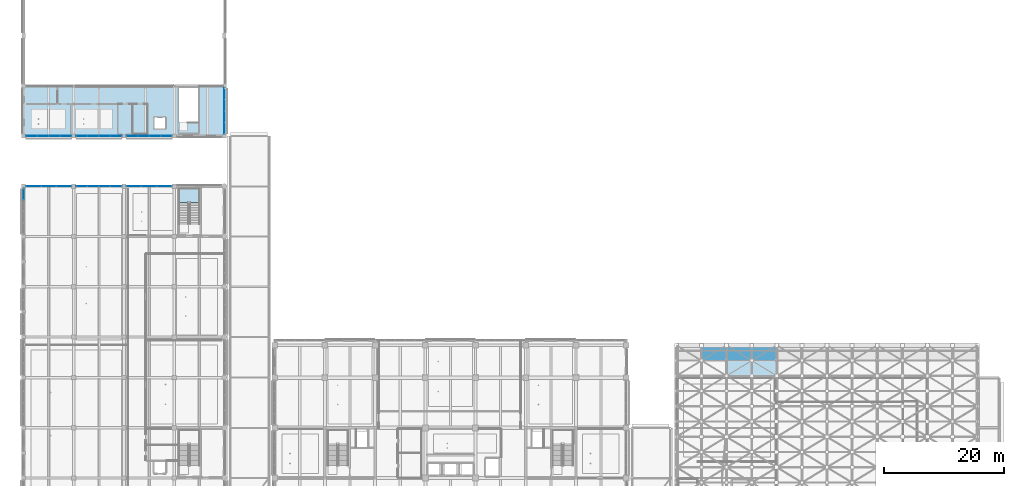
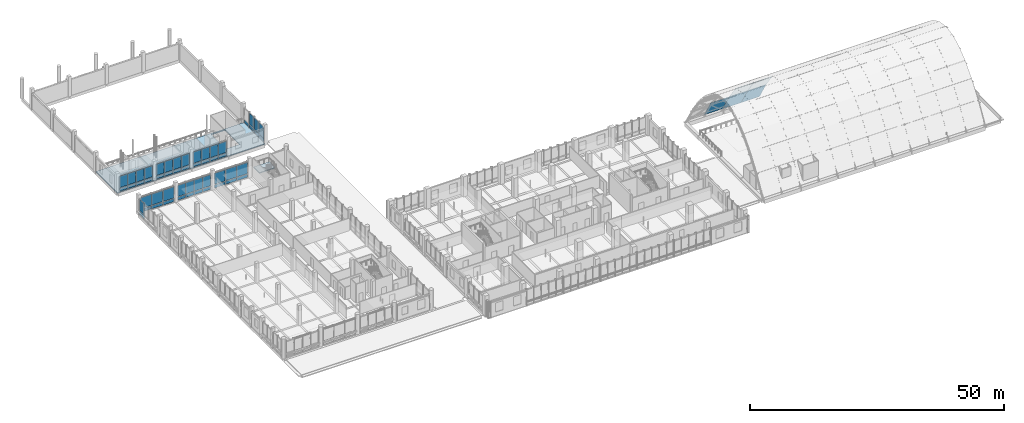
# One storey, part 42 of 128: 58 plates, 2 slabs, 9 elements without a shape of their own.
"""IFC4 building model written with IfcOpenShell, lengths in metres."""

from ifc_helpers import new_model, si_unit, direction, frame, origin, origin_2d, place, context, subcontext, project, spatial, polyline, rectangle, outline, extrude, material, layer, layer_set, type_object, element, aggregate, save


model = new_model("IFC4")

# Units and contexts
model_context = context("Model", 3, precision=1e-05, world=origin(), true_north=direction((0.0, 1.0)))
body_context = subcontext(model_context, "Body", "Model", "MODEL_VIEW")
ifc_project = project(units=[si_unit("LENGTHUNIT", "METRE"), si_unit("AREAUNIT", "SQUARE_METRE"), si_unit("VOLUMEUNIT", "CUBIC_METRE"), si_unit("PLANEANGLEUNIT", "RADIAN"), si_unit("MASSUNIT", "GRAM", prefix="KILO")], contexts=[model_context])

# Site, building, storey
site_placement = place(None, origin())
site = spatial("IfcSite", under=ifc_project, at=site_placement, CompositionType="ELEMENT")
building_placement = place(site_placement, origin())
building = spatial("IfcBuilding", under=site, at=building_placement, Name="Telukmera Botanical Conservatory", CompositionType="ELEMENT")
storey_placement = place(building_placement, frame((0.0, 0.0, 5.39990234375)))
storey = spatial("IfcBuildingStorey", under=building, at=storey_placement, Name="L01", CompositionType="ELEMENT", Elevation=5.39990234375)

# Curtain wall, plates
ifc_material_1 = material(Name="Anodised aluminium 6063-T6", Category="aluminium")
ifc_layer_1 = layer(ifc_material_1, 0.179931640625)
ifc_layer_set_1 = layer_set([ifc_layer_1], Name="Anodised aluminium 6063-T6")
curtain_wall_type_1 = type_object("IfcCurtainWallType", Name="Auditorium Upper Foyer Acoustic Curtain Wall", PredefinedType="USERDEFINED", material=ifc_layer_set_1)
curtain_wall_1_placement = place(storey_placement, origin())
curtain_wall_1 = element("IfcCurtainWall", 1, at=curtain_wall_1_placement, inside=storey, type_object=curtain_wall_type_1, Name="Unitised Curtain Wall CW05 V2:L01:S1", ObjectType="UNITISED CURTAIN WALL", PredefinedType="USERDEFINED")
ifc_material_2 = material(Name="Spectrally selective low-E double glazing", Category="glass")
ifc_layer_2 = layer(ifc_material_2, 0.044921875)
ifc_layer_set_2 = layer_set([ifc_layer_2], Name="Spectrally selective low-E double glazing")
plate_type_1 = type_object("IfcPlateType", Name="Acoustic Triple Laminated Foyer Glazing Panel 45", PredefinedType="CURTAIN_PANEL", material=ifc_layer_set_2)
plate_1_placement = place(storey_placement, frame((9.730224609375, 83.199951171875, 0.130126953125), z_axis=(0.0, 0.0, 1.0), x_axis=(1.0, 0.0, 0.0)))
plate_1 = element("IfcPlate", 2, at=plate_1_placement, type_object=plate_type_1, Name="CW05 panel 1.1", PredefinedType="CURTAIN_PANEL", context=body_context, shape_type="SweptSolid", body=[
    extrude(rectangle(XDim=1.826416015625, YDim=0.044921875, at=origin_2d()), origin(), (0.0, 0.0, 1.0), 0.7548828125),
])
plate_2_placement = place(storey_placement, frame((9.730224609375, 83.199951171875, 1.01513671875), z_axis=(0.0, 0.0, 1.0), x_axis=(1.0, 0.0, 0.0)))
plate_2 = element("IfcPlate", 3, at=plate_2_placement, type_object=plate_type_1, Name="CW05 panel 1.2", PredefinedType="CURTAIN_PANEL", context=body_context, shape_type="SweptSolid", body=[
    extrude(rectangle(XDim=1.826416015625, YDim=0.044921875, at=origin_2d()), origin(), (0.0, 0.0, 1.0), 2.705078125),
])
plate_3_placement = place(storey_placement, frame((11.637939453125, 83.199951171875, 0.130126953125), z_axis=(0.0, 0.0, 1.0), x_axis=(1.0, 0.0, 0.0)))
plate_3 = element("IfcPlate", 4, at=plate_3_placement, type_object=plate_type_1, Name="CW05 panel 2.1", PredefinedType="CURTAIN_PANEL", context=body_context, shape_type="SweptSolid", body=[
    extrude(rectangle(XDim=1.85888671875, YDim=0.044921875, at=origin_2d()), origin(), (0.0, 0.0, 1.0), 0.7548828125),
])
plate_4_placement = place(storey_placement, frame((11.637939453125, 83.199951171875, 1.01513671875), z_axis=(0.0, 0.0, 1.0), x_axis=(1.0, 0.0, 0.0)))
plate_4 = element("IfcPlate", 5, at=plate_4_placement, type_object=plate_type_1, Name="CW05 panel 2.2", PredefinedType="CURTAIN_PANEL", context=body_context, shape_type="SweptSolid", body=[
    extrude(rectangle(XDim=1.85888671875, YDim=0.044921875, at=origin_2d()), origin(), (0.0, 0.0, 1.0), 2.705078125),
])
plate_5_placement = place(storey_placement, frame((13.56201171875, 83.199951171875, 0.130126953125), z_axis=(0.0, 0.0, 1.0), x_axis=(1.0, 0.0, 0.0)))
plate_5 = element("IfcPlate", 6, at=plate_5_placement, type_object=plate_type_1, Name="CW05 panel 3.1", PredefinedType="CURTAIN_PANEL", context=body_context, shape_type="SweptSolid", body=[
    extrude(rectangle(XDim=1.85888671875, YDim=0.044921875, at=origin_2d()), origin(), (0.0, 0.0, 1.0), 0.7548828125),
])
plate_6_placement = place(storey_placement, frame((13.56201171875, 83.199951171875, 1.01513671875), z_axis=(0.0, 0.0, 1.0), x_axis=(1.0, 0.0, 0.0)))
plate_6 = element("IfcPlate", 7, at=plate_6_placement, type_object=plate_type_1, Name="CW05 panel 3.2", PredefinedType="CURTAIN_PANEL", context=body_context, shape_type="SweptSolid", body=[
    extrude(rectangle(XDim=1.85888671875, YDim=0.044921875, at=origin_2d()), origin(), (0.0, 0.0, 1.0), 2.705078125),
])
plate_7_placement = place(storey_placement, frame((15.4697265625, 83.199951171875, 0.130126953125), z_axis=(0.0, 0.0, 1.0), x_axis=(1.0, 0.0, 0.0)))
plate_7 = element("IfcPlate", 8, at=plate_7_placement, type_object=plate_type_1, Name="CW05 panel 4.1", PredefinedType="CURTAIN_PANEL", context=body_context, shape_type="SweptSolid", body=[
    extrude(rectangle(XDim=1.826416015625, YDim=0.044921875, at=origin_2d()), origin(), (0.0, 0.0, 1.0), 0.7548828125),
])
plate_8_placement = place(storey_placement, frame((15.4697265625, 83.199951171875, 1.01513671875), z_axis=(0.0, 0.0, 1.0), x_axis=(1.0, 0.0, 0.0)))
plate_8 = element("IfcPlate", 9, at=plate_8_placement, type_object=plate_type_1, Name="CW05 panel 4.2", PredefinedType="CURTAIN_PANEL", context=body_context, shape_type="SweptSolid", body=[
    extrude(rectangle(XDim=1.826416015625, YDim=0.044921875, at=origin_2d()), origin(), (0.0, 0.0, 1.0), 2.705078125),
])
aggregate(curtain_wall_1, [plate_1, plate_2, plate_3, plate_4, plate_5, plate_6, plate_7, plate_8])

curtain_wall_2_placement = place(storey_placement, origin())
curtain_wall_2 = element("IfcCurtainWall", 10, at=curtain_wall_2_placement, inside=storey, type_object=curtain_wall_type_1, Name="Unitised Curtain Wall CW05 V2:L01:S2", ObjectType="UNITISED CURTAIN WALL", PredefinedType="USERDEFINED")
plate_9_placement = place(storey_placement, frame((18.13037109375, 83.199951171875, 0.130126953125), z_axis=(0.0, 0.0, 1.0), x_axis=(1.0, 0.0, 0.0)))
plate_9 = element("IfcPlate", 11, at=plate_9_placement, type_object=plate_type_1, Name="CW05 panel 1.1", PredefinedType="CURTAIN_PANEL", context=body_context, shape_type="SweptSolid", body=[
    extrude(rectangle(XDim=1.826416015625, YDim=0.044921875, at=origin_2d()), origin(), (0.0, 0.0, 1.0), 0.7548828125),
])
plate_10_placement = place(storey_placement, frame((18.13037109375, 83.199951171875, 1.01513671875), z_axis=(0.0, 0.0, 1.0), x_axis=(1.0, 0.0, 0.0)))
plate_10 = element("IfcPlate", 12, at=plate_10_placement, type_object=plate_type_1, Name="CW05 panel 1.2", PredefinedType="CURTAIN_PANEL", context=body_context, shape_type="SweptSolid", body=[
    extrude(rectangle(XDim=1.826416015625, YDim=0.044921875, at=origin_2d()), origin(), (0.0, 0.0, 1.0), 2.705078125),
])
plate_11_placement = place(storey_placement, frame((20.0380859375, 83.199951171875, 0.130126953125), z_axis=(0.0, 0.0, 1.0), x_axis=(1.0, 0.0, 0.0)))
plate_11 = element("IfcPlate", 13, at=plate_11_placement, type_object=plate_type_1, Name="CW05 panel 2.1", PredefinedType="CURTAIN_PANEL", context=body_context, shape_type="SweptSolid", body=[
    extrude(rectangle(XDim=1.85888671875, YDim=0.044921875, at=origin_2d()), origin(), (0.0, 0.0, 1.0), 0.7548828125),
])
plate_12_placement = place(storey_placement, frame((20.0380859375, 83.199951171875, 1.01513671875), z_axis=(0.0, 0.0, 1.0), x_axis=(1.0, 0.0, 0.0)))
plate_12 = element("IfcPlate", 14, at=plate_12_placement, type_object=plate_type_1, Name="CW05 panel 2.2", PredefinedType="CURTAIN_PANEL", context=body_context, shape_type="SweptSolid", body=[
    extrude(rectangle(XDim=1.85888671875, YDim=0.044921875, at=origin_2d()), origin(), (0.0, 0.0, 1.0), 2.705078125),
])
plate_13_placement = place(storey_placement, frame((21.9619140625, 83.199951171875, 0.130126953125), z_axis=(0.0, 0.0, 1.0), x_axis=(1.0, 0.0, 0.0)))
plate_13 = element("IfcPlate", 15, at=plate_13_placement, type_object=plate_type_1, Name="CW05 panel 3.1", PredefinedType="CURTAIN_PANEL", context=body_context, shape_type="SweptSolid", body=[
    extrude(rectangle(XDim=1.85888671875, YDim=0.044921875, at=origin_2d()), origin(), (0.0, 0.0, 1.0), 0.7548828125),
])
plate_14_placement = place(storey_placement, frame((21.9619140625, 83.199951171875, 1.01513671875), z_axis=(0.0, 0.0, 1.0), x_axis=(1.0, 0.0, 0.0)))
plate_14 = element("IfcPlate", 16, at=plate_14_placement, type_object=plate_type_1, Name="CW05 panel 3.2", PredefinedType="CURTAIN_PANEL", context=body_context, shape_type="SweptSolid", body=[
    extrude(rectangle(XDim=1.85888671875, YDim=0.044921875, at=origin_2d()), origin(), (0.0, 0.0, 1.0), 2.705078125),
])
plate_15_placement = place(storey_placement, frame((23.86962890625, 83.199951171875, 0.130126953125), z_axis=(0.0, 0.0, 1.0), x_axis=(1.0, 0.0, 0.0)))
plate_15 = element("IfcPlate", 17, at=plate_15_placement, type_object=plate_type_1, Name="CW05 panel 4.1", PredefinedType="CURTAIN_PANEL", context=body_context, shape_type="SweptSolid", body=[
    extrude(rectangle(XDim=1.826416015625, YDim=0.044921875, at=origin_2d()), origin(), (0.0, 0.0, 1.0), 0.7548828125),
])
plate_16_placement = place(storey_placement, frame((23.86962890625, 83.199951171875, 1.01513671875), z_axis=(0.0, 0.0, 1.0), x_axis=(1.0, 0.0, 0.0)))
plate_16 = element("IfcPlate", 18, at=plate_16_placement, type_object=plate_type_1, Name="CW05 panel 4.2", PredefinedType="CURTAIN_PANEL", context=body_context, shape_type="SweptSolid", body=[
    extrude(rectangle(XDim=1.826416015625, YDim=0.044921875, at=origin_2d()), origin(), (0.0, 0.0, 1.0), 2.705078125),
])
aggregate(curtain_wall_2, [plate_9, plate_10, plate_11, plate_12, plate_13, plate_14, plate_15, plate_16])

curtain_wall_3_placement = place(storey_placement, origin())
curtain_wall_3 = element("IfcCurtainWall", 19, at=curtain_wall_3_placement, inside=storey, type_object=curtain_wall_type_1, Name="Unitised Curtain Wall CW05 V2:L01:S3", ObjectType="UNITISED CURTAIN WALL", PredefinedType="USERDEFINED")
plate_17_placement = place(storey_placement, frame((26.5302734375, 83.199951171875, 0.130126953125), z_axis=(0.0, 0.0, 1.0), x_axis=(1.0, 0.0, 0.0)))
plate_17 = element("IfcPlate", 20, at=plate_17_placement, type_object=plate_type_1, Name="CW05 panel 1.1", PredefinedType="CURTAIN_PANEL", context=body_context, shape_type="SweptSolid", body=[
    extrude(rectangle(XDim=1.826416015625, YDim=0.044921875, at=origin_2d()), origin(), (0.0, 0.0, 1.0), 0.7548828125),
])
plate_18_placement = place(storey_placement, frame((26.5302734375, 83.199951171875, 1.01513671875), z_axis=(0.0, 0.0, 1.0), x_axis=(1.0, 0.0, 0.0)))
plate_18 = element("IfcPlate", 21, at=plate_18_placement, type_object=plate_type_1, Name="CW05 panel 1.2", PredefinedType="CURTAIN_PANEL", context=body_context, shape_type="SweptSolid", body=[
    extrude(rectangle(XDim=1.826416015625, YDim=0.044921875, at=origin_2d()), origin(), (0.0, 0.0, 1.0), 2.705078125),
])
plate_19_placement = place(storey_placement, frame((28.43798828125, 83.199951171875, 0.130126953125), z_axis=(0.0, 0.0, 1.0), x_axis=(1.0, 0.0, 0.0)))
plate_19 = element("IfcPlate", 22, at=plate_19_placement, type_object=plate_type_1, Name="CW05 panel 2.1", PredefinedType="CURTAIN_PANEL", context=body_context, shape_type="SweptSolid", body=[
    extrude(rectangle(XDim=1.85888671875, YDim=0.044921875, at=origin_2d()), origin(), (0.0, 0.0, 1.0), 0.7548828125),
])
plate_20_placement = place(storey_placement, frame((28.43798828125, 83.199951171875, 1.01513671875), z_axis=(0.0, 0.0, 1.0), x_axis=(1.0, 0.0, 0.0)))
plate_20 = element("IfcPlate", 23, at=plate_20_placement, type_object=plate_type_1, Name="CW05 panel 2.2", PredefinedType="CURTAIN_PANEL", context=body_context, shape_type="SweptSolid", body=[
    extrude(rectangle(XDim=1.85888671875, YDim=0.044921875, at=origin_2d()), origin(), (0.0, 0.0, 1.0), 2.705078125),
])
plate_21_placement = place(storey_placement, frame((30.362060546875, 83.199951171875, 0.130126953125), z_axis=(0.0, 0.0, 1.0), x_axis=(1.0, 0.0, 0.0)))
plate_21 = element("IfcPlate", 24, at=plate_21_placement, type_object=plate_type_1, Name="CW05 panel 3.1", PredefinedType="CURTAIN_PANEL", context=body_context, shape_type="SweptSolid", body=[
    extrude(rectangle(XDim=1.85888671875, YDim=0.044921875, at=origin_2d()), origin(), (0.0, 0.0, 1.0), 0.7548828125),
])
plate_22_placement = place(storey_placement, frame((30.362060546875, 83.199951171875, 1.01513671875), z_axis=(0.0, 0.0, 1.0), x_axis=(1.0, 0.0, 0.0)))
plate_22 = element("IfcPlate", 25, at=plate_22_placement, type_object=plate_type_1, Name="CW05 panel 3.2", PredefinedType="CURTAIN_PANEL", context=body_context, shape_type="SweptSolid", body=[
    extrude(rectangle(XDim=1.85888671875, YDim=0.044921875, at=origin_2d()), origin(), (0.0, 0.0, 1.0), 2.705078125),
])
plate_23_placement = place(storey_placement, frame((32.269775390625, 83.199951171875, 0.130126953125), z_axis=(0.0, 0.0, 1.0), x_axis=(1.0, 0.0, 0.0)))
plate_23 = element("IfcPlate", 26, at=plate_23_placement, type_object=plate_type_1, Name="CW05 panel 4.1", PredefinedType="CURTAIN_PANEL", context=body_context, shape_type="SweptSolid", body=[
    extrude(rectangle(XDim=1.826416015625, YDim=0.044921875, at=origin_2d()), origin(), (0.0, 0.0, 1.0), 0.7548828125),
])
plate_24_placement = place(storey_placement, frame((32.269775390625, 83.199951171875, 1.01513671875), z_axis=(0.0, 0.0, 1.0), x_axis=(1.0, 0.0, 0.0)))
plate_24 = element("IfcPlate", 27, at=plate_24_placement, type_object=plate_type_1, Name="CW05 panel 4.2", PredefinedType="CURTAIN_PANEL", context=body_context, shape_type="SweptSolid", body=[
    extrude(rectangle(XDim=1.826416015625, YDim=0.044921875, at=origin_2d()), origin(), (0.0, 0.0, 1.0), 2.705078125),
])
aggregate(curtain_wall_3, [plate_17, plate_18, plate_19, plate_20, plate_21, plate_22, plate_23, plate_24])

curtain_wall_4_placement = place(storey_placement, origin())
curtain_wall_4 = element("IfcCurtainWall", 28, at=curtain_wall_4_placement, inside=storey, type_object=curtain_wall_type_1, Name="Unitised Curtain Wall CW05 V2:L01:E1", ObjectType="UNITISED CURTAIN WALL", PredefinedType="USERDEFINED")
plate_25_placement = place(storey_placement, frame((42.0, 84.5302734375, 0.130126953125), z_axis=(0.0, 0.0, 1.0), x_axis=(0.0, 1.0, 0.0)))
plate_25 = element("IfcPlate", 29, at=plate_25_placement, type_object=plate_type_1, Name="CW05 panel 1.1", PredefinedType="CURTAIN_PANEL", context=body_context, shape_type="SweptSolid", body=[
    extrude(rectangle(XDim=1.826416015625, YDim=0.044921875, at=origin_2d()), origin(), (0.0, 0.0, 1.0), 0.7548828125),
])
plate_26_placement = place(storey_placement, frame((42.0, 84.5302734375, 1.01513671875), z_axis=(0.0, 0.0, 1.0), x_axis=(0.0, 1.0, 0.0)))
plate_26 = element("IfcPlate", 30, at=plate_26_placement, type_object=plate_type_1, Name="CW05 panel 1.2", PredefinedType="CURTAIN_PANEL", context=body_context, shape_type="SweptSolid", body=[
    extrude(rectangle(XDim=1.826416015625, YDim=0.044921875, at=origin_2d()), origin(), (0.0, 0.0, 1.0), 2.705078125),
])
plate_27_placement = place(storey_placement, frame((42.0, 86.43798828125, 0.130126953125), z_axis=(0.0, 0.0, 1.0), x_axis=(0.0, 1.0, 0.0)))
plate_27 = element("IfcPlate", 31, at=plate_27_placement, type_object=plate_type_1, Name="CW05 panel 2.1", PredefinedType="CURTAIN_PANEL", context=body_context, shape_type="SweptSolid", body=[
    extrude(rectangle(XDim=1.85888671875, YDim=0.044921875, at=origin_2d()), origin(), (0.0, 0.0, 1.0), 0.7548828125),
])
plate_28_placement = place(storey_placement, frame((42.0, 86.43798828125, 1.01513671875), z_axis=(0.0, 0.0, 1.0), x_axis=(0.0, 1.0, 0.0)))
plate_28 = element("IfcPlate", 32, at=plate_28_placement, type_object=plate_type_1, Name="CW05 panel 2.2", PredefinedType="CURTAIN_PANEL", context=body_context, shape_type="SweptSolid", body=[
    extrude(rectangle(XDim=1.85888671875, YDim=0.044921875, at=origin_2d()), origin(), (0.0, 0.0, 1.0), 2.705078125),
])
plate_29_placement = place(storey_placement, frame((42.0, 88.362060546875, 0.130126953125), z_axis=(0.0, 0.0, 1.0), x_axis=(0.0, 1.0, 0.0)))
plate_29 = element("IfcPlate", 33, at=plate_29_placement, type_object=plate_type_1, Name="CW05 panel 3.1", PredefinedType="CURTAIN_PANEL", context=body_context, shape_type="SweptSolid", body=[
    extrude(rectangle(XDim=1.85888671875, YDim=0.044921875, at=origin_2d()), origin(), (0.0, 0.0, 1.0), 0.7548828125),
])
plate_30_placement = place(storey_placement, frame((42.0, 88.362060546875, 1.01513671875), z_axis=(0.0, 0.0, 1.0), x_axis=(0.0, 1.0, 0.0)))
plate_30 = element("IfcPlate", 34, at=plate_30_placement, type_object=plate_type_1, Name="CW05 panel 3.2", PredefinedType="CURTAIN_PANEL", context=body_context, shape_type="SweptSolid", body=[
    extrude(rectangle(XDim=1.85888671875, YDim=0.044921875, at=origin_2d()), origin(), (0.0, 0.0, 1.0), 2.705078125),
])
plate_31_placement = place(storey_placement, frame((42.0, 90.269775390625, 0.130126953125), z_axis=(0.0, 0.0, 1.0), x_axis=(0.0, 1.0, 0.0)))
plate_31 = element("IfcPlate", 35, at=plate_31_placement, type_object=plate_type_1, Name="CW05 panel 4.1", PredefinedType="CURTAIN_PANEL", context=body_context, shape_type="SweptSolid", body=[
    extrude(rectangle(XDim=1.826416015625, YDim=0.044921875, at=origin_2d()), origin(), (0.0, 0.0, 1.0), 0.7548828125),
])
aggregate(curtain_wall_4, [plate_25, plate_26, plate_27, plate_28, plate_29, plate_30, plate_31])

# Plates
ifc_material_3 = material(Name="Low-iron laminated conservatory glass", Category="glass")
ifc_layer_3 = layer(ifc_material_3, 0.031982421875)
ifc_layer_set_3 = layer_set([ifc_layer_3], Name="Low-iron laminated conservatory glass")
plate_type_2 = type_object("IfcPlateType", Name="Conservatory Gridshell Laminated Skylight Facet 32", PredefinedType="USERDEFINED", material=ifc_layer_set_3)
plate_32_placement = place(storey_placement, frame((121.802001953125, 45.652099609375, 4.64892578125), z_axis=(0.0, 0.865208931933, 0.501411511737), x_axis=(1.0, 0.0, 0.0)))
element("IfcPlate", 36, at=plate_32_placement, inside=storey, type_object=plate_type_2, Name="Conservatory Gridshell Glass Facet 02-12", ObjectType="SKYLIGHT_PANEL", PredefinedType="USERDEFINED", context=body_context, shape_type="SweptSolid", body=[
    extrude(outline(polyline([(0.0, 0.0), (4.196044921875, 0.0), (4.196044921875, 5.077463077540518), (0.0, 5.077463077540518), (0.0, 0.0)])), origin(), (0.0, 0.0, -1.0), 0.031982421875),
])
plate_33_placement = place(storey_placement, frame((126.001953125, 43.10205078125, 8.24951171875), z_axis=(0.0, 0.81602665981, 0.578014264944), x_axis=(1.0, 0.0, 0.0)))
element("IfcPlate", 37, at=plate_33_placement, inside=storey, type_object=plate_type_2, Name="Conservatory Gridshell Glass Facet 03-11", ObjectType="SKYLIGHT_PANEL", PredefinedType="USERDEFINED", context=body_context, shape_type="SweptSolid", body=[
    extrude(outline(polyline([(0.0, 0.0), (4.196044921875, 0.0), (4.196044921875, 4.404559873184596), (0.0, 4.404559873184596), (0.0, 0.0)])), origin(), (0.0, 0.0, -1.0), 0.031982421875),
])
plate_34_placement = place(storey_placement, frame((126.001953125, 45.652099609375, 4.64892578125), z_axis=(0.0, 0.865208931933, 0.501411511737), x_axis=(1.0, 0.0, 0.0)))
element("IfcPlate", 38, at=plate_34_placement, inside=storey, type_object=plate_type_2, Name="Conservatory Gridshell Glass Facet 03-12", ObjectType="SKYLIGHT_PANEL", PredefinedType="USERDEFINED", context=body_context, shape_type="SweptSolid", body=[
    extrude(outline(polyline([(0.0, 0.0), (4.196044921875, 0.0), (4.196044921875, 5.077463077540518), (0.0, 5.077463077540518), (0.0, 0.0)])), origin(), (0.0, 0.0, -1.0), 0.031982421875),
])
plate_35_placement = place(storey_placement, frame((130.201904296875, 43.10205078125, 8.24951171875), z_axis=(0.0, 0.81602665981, 0.578014264944), x_axis=(1.0, 0.0, 0.0)))
element("IfcPlate", 39, at=plate_35_placement, inside=storey, type_object=plate_type_2, Name="Conservatory Gridshell Glass Facet 04-11", ObjectType="SKYLIGHT_PANEL", PredefinedType="USERDEFINED", context=body_context, shape_type="SweptSolid", body=[
    extrude(outline(polyline([(0.0, 0.0), (4.196044921875, 0.0), (4.196044921875, 4.404559873184596), (0.0, 4.404559873184596), (0.0, 0.0)])), origin(), (0.0, 0.0, -1.0), 0.031982421875),
])
plate_36_placement = place(storey_placement, frame((130.201904296875, 45.652099609375, 4.64892578125), z_axis=(0.0, 0.865208931933, 0.501411511737), x_axis=(1.0, 0.0, 0.0)))
element("IfcPlate", 40, at=plate_36_placement, inside=storey, type_object=plate_type_2, Name="Conservatory Gridshell Glass Facet 04-12", ObjectType="SKYLIGHT_PANEL", PredefinedType="USERDEFINED", context=body_context, shape_type="SweptSolid", body=[
    extrude(outline(polyline([(0.0, 0.0), (4.196044921875, 0.0), (4.196044921875, 5.077463077540518), (0.0, 5.077463077540518), (0.0, 0.0)])), origin(), (0.0, 0.0, -1.0), 0.031982421875),
])

# Stair, slab
ifc_material_4 = material(Name="Concrete C40/50", Category="concrete")
stair_type = type_object("IfcStairType", Name="ST-ESC-4800", PredefinedType="HALF_TURN_STAIR", material=ifc_material_4)
stair_placement = place(storey_placement, origin())
stair = element("IfcStair", 41, at=stair_placement, inside=storey, type_object=stair_type, Name="L01 Protected Escape Stair ST4", PredefinedType="HALF_TURN_STAIR")
ifc_layer_4 = layer(ifc_material_4, 0.199951171875)
ifc_layer_set_4 = layer_set([ifc_layer_4], Name="Concrete C40/50")
slab_type_1 = type_object("IfcSlabType", Name="SL-LAND-200", PredefinedType="LANDING", material=ifc_layer_set_4)
slab_1_placement = place(storey_placement, frame((0.0, 0.0, 2.2001953125)))
slab_1 = element("IfcSlab", 42, at=slab_1_placement, type_object=slab_type_1, Name="ST4 landing 1", PredefinedType="LANDING", context=body_context, shape_type="SweptSolid", body=[
    extrude(outline(polyline([(34.35009765625, 72.1298828125), (37.929931640625, 72.1298828125), (37.929931640625, 74.4599609375), (34.35009765625, 74.4599609375), (34.35009765625, 72.1298828125)])), origin(), (0.0, 0.0, 1.0), 0.199951171875),
])
aggregate(stair, [slab_1])

# Slab
ifc_layer_5 = layer(ifc_material_4, 0.199951171875)
ifc_layer_set_5 = layer_set([ifc_layer_5], Name="Concrete C40/50")
slab_type_2 = type_object("IfcSlabType", Name="Slab_FS20", PredefinedType="FLOOR", material=ifc_layer_set_5)
slab_2_placement = place(storey_placement, frame((0.0, 0.0, -0.199951171875)))
element("IfcSlab", 43, at=slab_2_placement, inside=storey, type_object=slab_type_2, Name="Auditorium L01 Upper Foyer and Balcony Slab", PredefinedType="FLOOR", context=body_context, shape_type="SweptSolid", body=[
    extrude(outline(polyline([(8.39990234375, 83.199951171875), (42.0, 83.199951171875), (42.0, 91.60009765625), (8.39990234375, 91.60009765625), (8.39990234375, 83.199951171875)]), holes=[polyline([(37.60009765625, 85.48291015625), (37.60009765625, 91.300048828125), (34.39990234375, 91.300048828125), (34.39990234375, 85.48291015625), (37.60009765625, 85.48291015625)]), polyline([(30.330078125, 84.47998046875), (32.070068359375, 84.47998046875), (32.070068359375, 86.320068359375), (30.330078125, 86.320068359375), (30.330078125, 84.47998046875)])]), origin(), (0.0, 0.0, 1.0), 0.199951171875),
])

# Curtain wall, plates
ifc_layer_6 = layer(ifc_material_1, 0.179931640625)
ifc_layer_set_6 = layer_set([ifc_layer_6], Name="Anodised aluminium 6063-T6")
curtain_wall_type_2 = type_object("IfcCurtainWallType", Name="Visitor Gallery Second Floor Curtain Wall 2400 Mod", PredefinedType="USERDEFINED", material=ifc_layer_set_6)
curtain_wall_5_placement = place(storey_placement, origin())
curtain_wall_5 = element("IfcCurtainWall", 44, at=curtain_wall_5_placement, inside=storey, type_object=curtain_wall_type_2, Name="Unitised Curtain Wall CW09 V3:L01:N1", ObjectType="UNITISED CURTAIN WALL", PredefinedType="USERDEFINED")
ifc_layer_7 = layer(ifc_material_2, 0.0380859375)
ifc_layer_set_7 = layer_set([ifc_layer_7], Name="Spectrally selective low-E double glazing")
plate_type_3 = type_object("IfcPlateType", Name="Solar Control Fritted Spandrel Glazing Panel 38", PredefinedType="CURTAIN_PANEL", material=ifc_layer_set_7)
plate_37_placement = place(storey_placement, frame((10.051025390625, 74.800048828125, 0.130126953125), z_axis=(0.0, 0.0, 1.0), x_axis=(1.0, 0.0, 0.0)))
plate_37 = element("IfcPlate", 45, at=plate_37_placement, type_object=plate_type_3, Name="CW09 panel 1.1", PredefinedType="CURTAIN_PANEL", context=body_context, shape_type="SweptSolid", body=[
    extrude(rectangle(XDim=2.4677734375, YDim=0.0380859375, at=origin_2d()), origin(), (0.0, 0.0, 1.0), 0.7548828125),
])
plate_38_placement = place(storey_placement, frame((10.051025390625, 74.800048828125, 1.01513671875), z_axis=(0.0, 0.0, 1.0), x_axis=(1.0, 0.0, 0.0)))
plate_38 = element("IfcPlate", 46, at=plate_38_placement, type_object=plate_type_3, Name="CW09 panel 1.2", PredefinedType="CURTAIN_PANEL", context=body_context, shape_type="SweptSolid", body=[
    extrude(rectangle(XDim=2.4677734375, YDim=0.0380859375, at=origin_2d()), origin(), (0.0, 0.0, 1.0), 2.705078125),
])
plate_39_placement = place(storey_placement, frame((12.60009765625, 74.800048828125, 0.130126953125), z_axis=(0.0, 0.0, 1.0), x_axis=(1.0, 0.0, 0.0)))
plate_39 = element("IfcPlate", 47, at=plate_39_placement, type_object=plate_type_3, Name="CW09 panel 2.1", PredefinedType="CURTAIN_PANEL", context=body_context, shape_type="SweptSolid", body=[
    extrude(rectangle(XDim=2.500244140625, YDim=0.0380859375, at=origin_2d()), origin(), (0.0, 0.0, 1.0), 0.7548828125),
])
plate_40_placement = place(storey_placement, frame((12.60009765625, 74.800048828125, 1.01513671875), z_axis=(0.0, 0.0, 1.0), x_axis=(1.0, 0.0, 0.0)))
plate_40 = element("IfcPlate", 48, at=plate_40_placement, type_object=plate_type_3, Name="CW09 panel 2.2", PredefinedType="CURTAIN_PANEL", context=body_context, shape_type="SweptSolid", body=[
    extrude(rectangle(XDim=2.500244140625, YDim=0.0380859375, at=origin_2d()), origin(), (0.0, 0.0, 1.0), 2.705078125),
])
plate_41_placement = place(storey_placement, frame((15.149169921875, 74.800048828125, 0.130126953125), z_axis=(0.0, 0.0, 1.0), x_axis=(1.0, 0.0, 0.0)))
plate_41 = element("IfcPlate", 49, at=plate_41_placement, type_object=plate_type_3, Name="CW09 panel 3.1", PredefinedType="CURTAIN_PANEL", context=body_context, shape_type="SweptSolid", body=[
    extrude(rectangle(XDim=2.4677734375, YDim=0.0380859375, at=origin_2d()), origin(), (0.0, 0.0, 1.0), 0.7548828125),
])
plate_42_placement = place(storey_placement, frame((15.149169921875, 74.800048828125, 1.01513671875), z_axis=(0.0, 0.0, 1.0), x_axis=(1.0, 0.0, 0.0)))
plate_42 = element("IfcPlate", 50, at=plate_42_placement, type_object=plate_type_3, Name="CW09 panel 3.2", PredefinedType="CURTAIN_PANEL", context=body_context, shape_type="SweptSolid", body=[
    extrude(rectangle(XDim=2.4677734375, YDim=0.0380859375, at=origin_2d()), origin(), (0.0, 0.0, 1.0), 2.705078125),
])
aggregate(curtain_wall_5, [plate_37, plate_38, plate_39, plate_40, plate_41, plate_42])

curtain_wall_6_placement = place(storey_placement, origin())
curtain_wall_6 = element("IfcCurtainWall", 51, at=curtain_wall_6_placement, inside=storey, type_object=curtain_wall_type_2, Name="Unitised Curtain Wall CW09 V3:L01:N3", ObjectType="UNITISED CURTAIN WALL", PredefinedType="USERDEFINED")
plate_43_placement = place(storey_placement, frame((26.850830078125, 74.800048828125, 0.130126953125), z_axis=(0.0, 0.0, 1.0), x_axis=(1.0, 0.0, 0.0)))
plate_43 = element("IfcPlate", 52, at=plate_43_placement, type_object=plate_type_3, Name="CW09 panel 1.1", PredefinedType="CURTAIN_PANEL", context=body_context, shape_type="SweptSolid", body=[
    extrude(rectangle(XDim=2.4677734375, YDim=0.0380859375, at=origin_2d()), origin(), (0.0, 0.0, 1.0), 0.7548828125),
])
plate_44_placement = place(storey_placement, frame((26.850830078125, 74.800048828125, 1.01513671875), z_axis=(0.0, 0.0, 1.0), x_axis=(1.0, 0.0, 0.0)))
plate_44 = element("IfcPlate", 53, at=plate_44_placement, type_object=plate_type_3, Name="CW09 panel 1.2", PredefinedType="CURTAIN_PANEL", context=body_context, shape_type="SweptSolid", body=[
    extrude(rectangle(XDim=2.4677734375, YDim=0.0380859375, at=origin_2d()), origin(), (0.0, 0.0, 1.0), 2.705078125),
])
plate_45_placement = place(storey_placement, frame((29.39990234375, 74.800048828125, 0.130126953125), z_axis=(0.0, 0.0, 1.0), x_axis=(1.0, 0.0, 0.0)))
plate_45 = element("IfcPlate", 54, at=plate_45_placement, type_object=plate_type_3, Name="CW09 panel 2.1", PredefinedType="CURTAIN_PANEL", context=body_context, shape_type="SweptSolid", body=[
    extrude(rectangle(XDim=2.500244140625, YDim=0.0380859375, at=origin_2d()), origin(), (0.0, 0.0, 1.0), 0.7548828125),
])
plate_46_placement = place(storey_placement, frame((29.39990234375, 74.800048828125, 1.01513671875), z_axis=(0.0, 0.0, 1.0), x_axis=(1.0, 0.0, 0.0)))
plate_46 = element("IfcPlate", 55, at=plate_46_placement, type_object=plate_type_3, Name="CW09 panel 2.2", PredefinedType="CURTAIN_PANEL", context=body_context, shape_type="SweptSolid", body=[
    extrude(rectangle(XDim=2.500244140625, YDim=0.0380859375, at=origin_2d()), origin(), (0.0, 0.0, 1.0), 2.705078125),
])
plate_47_placement = place(storey_placement, frame((31.948974609375, 74.800048828125, 0.130126953125), z_axis=(0.0, 0.0, 1.0), x_axis=(1.0, 0.0, 0.0)))
plate_47 = element("IfcPlate", 56, at=plate_47_placement, type_object=plate_type_3, Name="CW09 panel 3.1", PredefinedType="CURTAIN_PANEL", context=body_context, shape_type="SweptSolid", body=[
    extrude(rectangle(XDim=2.4677734375, YDim=0.0380859375, at=origin_2d()), origin(), (0.0, 0.0, 1.0), 0.7548828125),
])
plate_48_placement = place(storey_placement, frame((31.948974609375, 74.800048828125, 1.01513671875), z_axis=(0.0, 0.0, 1.0), x_axis=(1.0, 0.0, 0.0)))
plate_48 = element("IfcPlate", 57, at=plate_48_placement, type_object=plate_type_3, Name="CW09 panel 3.2", PredefinedType="CURTAIN_PANEL", context=body_context, shape_type="SweptSolid", body=[
    extrude(rectangle(XDim=2.4677734375, YDim=0.0380859375, at=origin_2d()), origin(), (0.0, 0.0, 1.0), 2.705078125),
])
aggregate(curtain_wall_6, [plate_43, plate_44, plate_45, plate_46, plate_47, plate_48])

ifc_layer_8 = layer(ifc_material_1, 0.179931640625)
ifc_layer_set_8 = layer_set([ifc_layer_8], Name="Anodised aluminium 6063-T6")
curtain_wall_type_3 = type_object("IfcCurtainWallType", Name="Visitor Gallery First Floor Curtain Wall 1800 Mod", PredefinedType="USERDEFINED", material=ifc_layer_set_8)
curtain_wall_7_placement = place(storey_placement, origin())
curtain_wall_7 = element("IfcCurtainWall", 58, at=curtain_wall_7_placement, inside=storey, type_object=curtain_wall_type_3, Name="Unitised Curtain Wall CW08 V3:L01:N2", ObjectType="UNITISED CURTAIN WALL", PredefinedType="USERDEFINED")
ifc_layer_9 = layer(ifc_material_2, 0.028076171875)
ifc_layer_set_9 = layer_set([ifc_layer_9], Name="Spectrally selective low-E double glazing")
plate_type_4 = type_object("IfcPlateType", Name="Spectrally Selective Vision Double Glazing Panel 28", PredefinedType="CURTAIN_PANEL", material=ifc_layer_set_9)
plate_49_placement = place(storey_placement, frame((18.13037109375, 74.800048828125, 0.130126953125), z_axis=(0.0, 0.0, 1.0), x_axis=(1.0, 0.0, 0.0)))
plate_49 = element("IfcPlate", 59, at=plate_49_placement, type_object=plate_type_4, Name="CW08 panel 1.1", PredefinedType="CURTAIN_PANEL", context=body_context, shape_type="SweptSolid", body=[
    extrude(rectangle(XDim=1.826416015625, YDim=0.028076171875, at=origin_2d()), origin(), (0.0, 0.0, 1.0), 0.7548828125),
])
plate_50_placement = place(storey_placement, frame((18.13037109375, 74.800048828125, 1.01513671875), z_axis=(0.0, 0.0, 1.0), x_axis=(1.0, 0.0, 0.0)))
plate_50 = element("IfcPlate", 60, at=plate_50_placement, type_object=plate_type_4, Name="CW08 panel 1.2", PredefinedType="CURTAIN_PANEL", context=body_context, shape_type="SweptSolid", body=[
    extrude(rectangle(XDim=1.826416015625, YDim=0.028076171875, at=origin_2d()), origin(), (0.0, 0.0, 1.0), 2.705078125),
])
plate_51_placement = place(storey_placement, frame((20.0380859375, 74.800048828125, 0.130126953125), z_axis=(0.0, 0.0, 1.0), x_axis=(1.0, 0.0, 0.0)))
plate_51 = element("IfcPlate", 61, at=plate_51_placement, type_object=plate_type_4, Name="CW08 panel 2.1", PredefinedType="CURTAIN_PANEL", context=body_context, shape_type="SweptSolid", body=[
    extrude(rectangle(XDim=1.85888671875, YDim=0.028076171875, at=origin_2d()), origin(), (0.0, 0.0, 1.0), 0.7548828125),
])
plate_52_placement = place(storey_placement, frame((20.0380859375, 74.800048828125, 1.01513671875), z_axis=(0.0, 0.0, 1.0), x_axis=(1.0, 0.0, 0.0)))
plate_52 = element("IfcPlate", 62, at=plate_52_placement, type_object=plate_type_4, Name="CW08 panel 2.2", PredefinedType="CURTAIN_PANEL", context=body_context, shape_type="SweptSolid", body=[
    extrude(rectangle(XDim=1.85888671875, YDim=0.028076171875, at=origin_2d()), origin(), (0.0, 0.0, 1.0), 2.705078125),
])
plate_53_placement = place(storey_placement, frame((21.9619140625, 74.800048828125, 0.130126953125), z_axis=(0.0, 0.0, 1.0), x_axis=(1.0, 0.0, 0.0)))
plate_53 = element("IfcPlate", 63, at=plate_53_placement, type_object=plate_type_4, Name="CW08 panel 3.1", PredefinedType="CURTAIN_PANEL", context=body_context, shape_type="SweptSolid", body=[
    extrude(rectangle(XDim=1.85888671875, YDim=0.028076171875, at=origin_2d()), origin(), (0.0, 0.0, 1.0), 0.7548828125),
])
plate_54_placement = place(storey_placement, frame((21.9619140625, 74.800048828125, 1.01513671875), z_axis=(0.0, 0.0, 1.0), x_axis=(1.0, 0.0, 0.0)))
plate_54 = element("IfcPlate", 64, at=plate_54_placement, type_object=plate_type_4, Name="CW08 panel 3.2", PredefinedType="CURTAIN_PANEL", context=body_context, shape_type="SweptSolid", body=[
    extrude(rectangle(XDim=1.85888671875, YDim=0.028076171875, at=origin_2d()), origin(), (0.0, 0.0, 1.0), 2.705078125),
])
plate_55_placement = place(storey_placement, frame((23.86962890625, 74.800048828125, 0.130126953125), z_axis=(0.0, 0.0, 1.0), x_axis=(1.0, 0.0, 0.0)))
plate_55 = element("IfcPlate", 65, at=plate_55_placement, type_object=plate_type_4, Name="CW08 panel 4.1", PredefinedType="CURTAIN_PANEL", context=body_context, shape_type="SweptSolid", body=[
    extrude(rectangle(XDim=1.826416015625, YDim=0.028076171875, at=origin_2d()), origin(), (0.0, 0.0, 1.0), 0.7548828125),
])
plate_56_placement = place(storey_placement, frame((23.86962890625, 74.800048828125, 1.01513671875), z_axis=(0.0, 0.0, 1.0), x_axis=(1.0, 0.0, 0.0)))
plate_56 = element("IfcPlate", 66, at=plate_56_placement, type_object=plate_type_4, Name="CW08 panel 4.2", PredefinedType="CURTAIN_PANEL", context=body_context, shape_type="SweptSolid", body=[
    extrude(rectangle(XDim=1.826416015625, YDim=0.028076171875, at=origin_2d()), origin(), (0.0, 0.0, 1.0), 2.705078125),
])
aggregate(curtain_wall_7, [plate_49, plate_50, plate_51, plate_52, plate_53, plate_54, plate_55, plate_56])

curtain_wall_8_placement = place(storey_placement, origin())
curtain_wall_8 = element("IfcCurtainWall", 67, at=curtain_wall_8_placement, inside=storey, type_object=curtain_wall_type_3, Name="Unitised Curtain Wall CW08 V3:L01:W7", ObjectType="UNITISED CURTAIN WALL", PredefinedType="USERDEFINED")
plate_57_placement = place(storey_placement, frame((8.39990234375, 73.4697265625, 0.130126953125), z_axis=(0.0, 0.0, 1.0), x_axis=(0.0, 1.0, 0.0)))
plate_57 = element("IfcPlate", 68, at=plate_57_placement, type_object=plate_type_4, Name="CW08 panel 4.1", PredefinedType="CURTAIN_PANEL", context=body_context, shape_type="SweptSolid", body=[
    extrude(rectangle(XDim=1.826416015625, YDim=0.028076171875, at=origin_2d()), origin(), (0.0, 0.0, 1.0), 0.7548828125),
])
plate_58_placement = place(storey_placement, frame((8.39990234375, 73.4697265625, 1.01513671875), z_axis=(0.0, 0.0, 1.0), x_axis=(0.0, 1.0, 0.0)))
plate_58 = element("IfcPlate", 69, at=plate_58_placement, type_object=plate_type_4, Name="CW08 panel 4.2", PredefinedType="CURTAIN_PANEL", context=body_context, shape_type="SweptSolid", body=[
    extrude(rectangle(XDim=1.826416015625, YDim=0.028076171875, at=origin_2d()), origin(), (0.0, 0.0, 1.0), 2.705078125),
])
aggregate(curtain_wall_8, [plate_57, plate_58])

save(model, "model.ifc")
